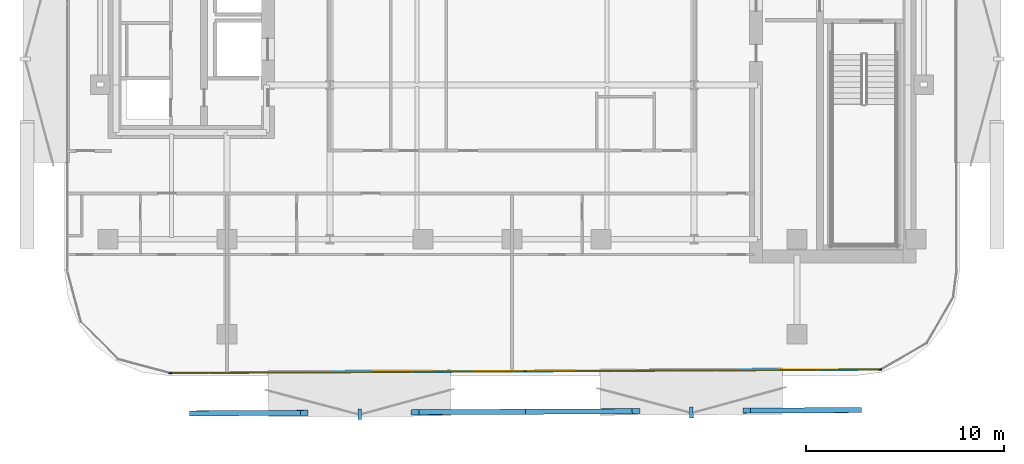
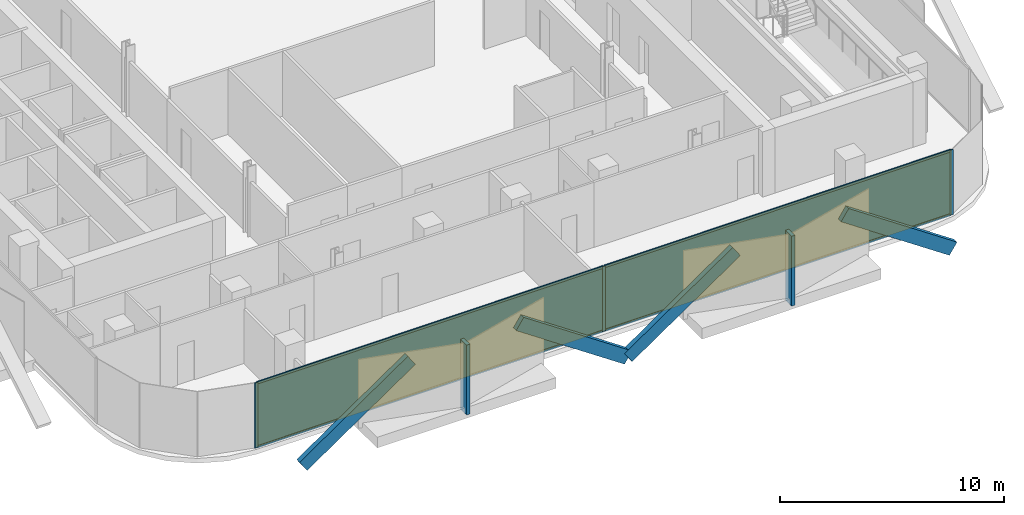
# One storey, part 9 of 17: 13 members, 2 plates, 1 curtain wall.
"""IFC4 building model written with IfcOpenShell, lengths in metres."""

from ifc_helpers import new_model, si_unit, direction, frame, frame_2d, origin, origin_2d, place, context, subcontext, project, spatial, rectangle, extrude, material, layer, layer_set, material_profile, profile_set, type_object, element, aggregate, save


model = new_model("IFC4")

# Units and contexts
model_context = context("Model", 3, precision=1e-05, world=origin(), true_north=direction((0.0, 1.0)))
body_context = subcontext(model_context, "Body", "Model", "MODEL_VIEW")
ifc_project = project(units=[si_unit("LENGTHUNIT", "METRE"), si_unit("AREAUNIT", "SQUARE_METRE"), si_unit("VOLUMEUNIT", "CUBIC_METRE"), si_unit("PLANEANGLEUNIT", "RADIAN"), si_unit("MASSUNIT", "GRAM", prefix="KILO")], contexts=[model_context])

# Member
ifc_material_1 = material(Name="Anodised Bronze Aluminium 6063-T6", Category="aluminium")
ifc_material_profile_1 = material_profile(ifc_material_1, rectangle(XDim=0.260009765625, YDim=0.699951171875, at=origin_2d()))
ifc_profile_set_1 = profile_set([ifc_material_profile_1], Name="Anodised Bronze Aluminium 6063-T6")
member_type_1 = type_object("IfcMemberType", Name="Bronze Diamond Solar-Screen Lattice Rib BDL-700", PredefinedType="MULLION", material=ifc_profile_set_1)
site_placement = place(None, origin())
building_placement = place(site_placement, origin())
storey_placement = place(building_placement, frame((0.0, 0.0, 172.60009765625)))
member_1_placement = place(storey_placement, frame((17.4453125, -27.22900390625, -0.130126953125), z_axis=(-0.826888819371, -0.004046469514, 0.562350874885), x_axis=(-0.007641611663, 0.999962637455, -0.004040973385)))
member_1 = element("IfcMember", 1, at=member_1_placement, type_object=member_type_1, Name="L39 Bronze Diamond Solar Screen Lattice Rib 249A", PredefinedType="MULLION", context=body_context, shape_type="SweptSolid", body=[
    extrude(rectangle(XDim=0.260009765625, YDim=0.699951171875, at=origin_2d()), origin(), (0.0, 0.0, 1.0), 6.75732421875),
])

member_2_placement = place(storey_placement, frame((0.682373046875, -27.3115234375, -0.130126953125), z_axis=(0.826888697943, 0.004082598107, 0.562350792305), x_axis=(0.00768530149, -0.999962302626, -0.00404097366)))
member_2 = element("IfcMember", 2, at=member_2_placement, type_object=member_type_1, Name="L39 Bronze Diamond Solar Screen Lattice Rib 249B", PredefinedType="MULLION", context=body_context, shape_type="SweptSolid", body=[
    extrude(rectangle(XDim=0.260009765625, YDim=0.699951171875, at=origin_2d()), origin(), (0.0, 0.0, 1.0), 6.75732421875),
])

member_3_placement = place(storey_placement, frame((0.682373046875, -27.3115234375, -0.130126953125), z_axis=(-0.82690012347, -0.004082476143, 0.562333992564), x_axis=(-0.00768500369, 0.999962304689, -0.004041029491)))
member_3 = element("IfcMember", 3, at=member_3_placement, type_object=member_type_1, Name="L39 Bronze Diamond Solar Screen Lattice Rib 250A", PredefinedType="MULLION", context=body_context, shape_type="SweptSolid", body=[
    extrude(rectangle(XDim=0.260009765625, YDim=0.699951171875, at=origin_2d()), origin(), (0.0, 0.0, 1.0), 6.757568359375),
])

member_4_placement = place(storey_placement, frame((-16.080810546875, -27.39404296875, -0.130126953125), z_axis=(0.826888697943, 0.004082598107, 0.562350792305), x_axis=(0.00768530149, -0.999962302626, -0.00404097366)))
member_4 = element("IfcMember", 4, at=member_4_placement, type_object=member_type_1, Name="L39 Bronze Diamond Solar Screen Lattice Rib 250B", PredefinedType="MULLION", context=body_context, shape_type="SweptSolid", body=[
    extrude(rectangle(XDim=0.260009765625, YDim=0.699951171875, at=origin_2d()), origin(), (0.0, 0.0, 1.0), 6.75732421875),
])

ifc_material_2 = material(Name="Anodised Bronze Aluminium 6063-T6", Category="aluminium")
ifc_material_profile_2 = material_profile(ifc_material_2, rectangle(XDim=0.179931640625, YDim=0.5400390625, at=origin_2d()))
ifc_profile_set_2 = profile_set([ifc_material_profile_2], Name="Anodised Bronze Aluminium 6063-T6")
member_type_2 = type_object("IfcMemberType", Name="Bronze Solar-Screen Vertical Fold Fin BSF-540", PredefinedType="MULLION", material=ifc_profile_set_2)
member_5_placement = place(storey_placement, frame((9.064208984375, -27.35009765625, -0.130126953125), z_axis=(0.0, 0.0, 1.0), x_axis=(-0.999988059021, -0.004886902454, 0.0)))
member_5 = element("IfcMember", 5, at=member_5_placement, type_object=member_type_2, Name="L39 Bronze Solar Screen Vertical Fin 249", PredefinedType="MULLION", context=body_context, shape_type="SweptSolid", body=[
    extrude(rectangle(XDim=0.179931640625, YDim=0.5400390625, at=origin_2d()), origin(), (0.0, 0.0, 1.0), 3.800048828125),
])

member_6_placement = place(storey_placement, frame((-7.698974609375, -27.432861328125, -0.130126953125), z_axis=(0.0, 0.0, 1.0), x_axis=(-0.999988059021, -0.004886902454, 0.0)))
member_6 = element("IfcMember", 6, at=member_6_placement, type_object=member_type_2, Name="L39 Bronze Solar Screen Vertical Fin 250", PredefinedType="MULLION", context=body_context, shape_type="SweptSolid", body=[
    extrude(rectangle(XDim=0.179931640625, YDim=0.5400390625, at=origin_2d()), origin(), (0.0, 0.0, 1.0), 3.800048828125),
])

ifc_material_3 = material(Name="Anodised Bronze Aluminium 6063-T6", Category="aluminium")
ifc_material_profile_3 = material_profile(ifc_material_3, rectangle(XDim=0.06005859375, YDim=0.1650390625, at=origin_2d()))
ifc_profile_set_3 = profile_set([ifc_material_profile_3], Name="Anodised Bronze Aluminium 6063-T6")
member_type_3 = type_object("IfcMemberType", Name="CW-Z3 Mullion 60x165", PredefinedType="MULLION", material=ifc_profile_set_3)
member_7_placement = place(storey_placement, frame((18.605224609375, -25.18310546875, 0.0), z_axis=(0.0, 0.0, 1.0), x_axis=(0.004926734175, -0.999987863572, 0.0)))
member_7 = element("IfcMember", 7, at=member_7_placement, type_object=member_type_3, Name="CW-Z3 mullion 1", PredefinedType="MULLION", context=body_context, shape_type="SweptSolid", body=[
    extrude(rectangle(XDim=0.06005859375, YDim=0.1650390625, at=origin_2d()), origin(), (0.0, 0.0, 1.0), 3.539794921875),
])

member_8_placement = place(storey_placement, frame((0.672119140625, -25.271484375, 0.0), z_axis=(0.0, 0.0, 1.0), x_axis=(0.004926734175, -0.999987863572, 0.0)))
member_8 = element("IfcMember", 8, at=member_8_placement, type_object=member_type_3, Name="CW-Z3 mullion 2", PredefinedType="MULLION", context=body_context, shape_type="SweptSolid", body=[
    extrude(rectangle(XDim=0.06005859375, YDim=0.1650390625, at=origin_2d()), origin(), (0.0, 0.0, 1.0), 3.539794921875),
])

member_9_placement = place(storey_placement, frame((-17.2607421875, -25.35986328125, 0.0), z_axis=(0.0, 0.0, 1.0), x_axis=(0.004926734175, -0.999987863572, 0.0)))
member_9 = element("IfcMember", 9, at=member_9_placement, type_object=member_type_3, Name="CW-Z3 mullion 3", PredefinedType="MULLION", context=body_context, shape_type="SweptSolid", body=[
    extrude(rectangle(XDim=0.06005859375, YDim=0.1650390625, at=origin_2d()), origin(), (0.0, 0.0, 1.0), 3.539794921875),
])

ifc_material_4 = material(Name="Anodised Bronze Aluminium 6063-T6", Category="aluminium")
ifc_material_profile_4 = material_profile(ifc_material_4, rectangle(XDim=0.06005859375, YDim=0.1298828125, at=origin_2d()))
ifc_profile_set_4 = profile_set([ifc_material_profile_4], Name="Anodised Bronze Aluminium 6063-T6")
member_type_4 = type_object("IfcMemberType", Name="CW-Z3 Transom 60x130", PredefinedType="USERDEFINED", material=ifc_profile_set_4)
member_10_placement = place(storey_placement, frame((18.5751953125, -25.183349609375, 0.02978515625), z_axis=(-0.999987909339, -0.0049174359, 0.0), x_axis=(0.0049174359, -0.999987909339, 0.0)))
member_10 = element("IfcMember", 10, at=member_10_placement, type_object=member_type_4, Name="CW-Z3 transom 1.1", ObjectType="TRANSOM", PredefinedType="USERDEFINED", context=body_context, shape_type="SweptSolid", body=[
    extrude(rectangle(XDim=0.06005859375, YDim=0.1298828125, at=origin_2d()), origin(), (0.0, 0.0, 1.0), 17.873291015625),
])

member_11_placement = place(storey_placement, frame((18.5751953125, -25.183349609375, 3.510009765625), z_axis=(-0.999987909339, -0.0049174359, 0.0), x_axis=(0.0049174359, -0.999987909339, 0.0)))
member_11 = element("IfcMember", 11, at=member_11_placement, type_object=member_type_4, Name="CW-Z3 transom 1.2", ObjectType="TRANSOM", PredefinedType="USERDEFINED", context=body_context, shape_type="SweptSolid", body=[
    extrude(rectangle(XDim=0.06005859375, YDim=0.1298828125, at=origin_2d()), origin(), (0.0, 0.0, 1.0), 17.873291015625),
])

member_12_placement = place(storey_placement, frame((0.64208984375, -25.271728515625, 0.02978515625), z_axis=(-0.999987909009, -0.00491750307, 0.0), x_axis=(0.00491750307, -0.999987909009, 0.0)))
member_12 = element("IfcMember", 12, at=member_12_placement, type_object=member_type_4, Name="CW-Z3 transom 2.1", ObjectType="TRANSOM", PredefinedType="USERDEFINED", context=body_context, shape_type="SweptSolid", body=[
    extrude(rectangle(XDim=0.06005859375, YDim=0.1298828125, at=origin_2d()), origin(), (0.0, 0.0, 1.0), 17.873046875),
])

member_13_placement = place(storey_placement, frame((0.64208984375, -25.271728515625, 3.510009765625), z_axis=(-0.999987909009, -0.00491750307, 0.0), x_axis=(0.00491750307, -0.999987909009, 0.0)))
member_13 = element("IfcMember", 13, at=member_13_placement, type_object=member_type_4, Name="CW-Z3 transom 2.2", ObjectType="TRANSOM", PredefinedType="USERDEFINED", context=body_context, shape_type="SweptSolid", body=[
    extrude(rectangle(XDim=0.06005859375, YDim=0.1298828125, at=origin_2d()), origin(), (0.0, 0.0, 1.0), 17.873046875),
])

# Plate
ifc_material_5 = material(Name="Low-E Solar Control Laminated Glass", Category="glass")
ifc_layer_1 = layer(ifc_material_5, 0.030029296875, Name="Low-E Solar Control Laminated Glass")
ifc_layer_set_1 = layer_set([ifc_layer_1], Name="Low-E Solar Control Laminated Glass")
plate_type = type_object("IfcPlateType", Name="CW-Z3 Low-E Double Glazed Panel 30mm", PredefinedType="CURTAIN_PANEL", material=ifc_layer_set_1)
plate_1_placement = place(storey_placement, frame((9.638671875, -25.227294921875, 0.06005859375), z_axis=(0.0, 0.0, 1.0), x_axis=(-0.999987863572, -0.004926734175, 0.0)))
plate_1 = element("IfcPlate", 14, at=plate_1_placement, type_object=plate_type, Name="CW-Z3 panel 1.1", PredefinedType="CURTAIN_PANEL", context=body_context, shape_type="SweptSolid", body=[
    extrude(rectangle(XDim=17.873291015625, YDim=0.030029296875, at=origin_2d()), origin(), (0.0, 0.0, 1.0), 3.419921875),
])

plate_2_placement = place(storey_placement, frame((-8.294189453125, -25.315673828125, 0.06005859375), z_axis=(0.0, 0.0, 1.0), x_axis=(-0.999987863572, -0.004926734175, 0.0)))
plate_2 = element("IfcPlate", 15, at=plate_2_placement, type_object=plate_type, Name="CW-Z3 panel 2.1", PredefinedType="CURTAIN_PANEL", context=body_context, shape_type="SweptSolid", body=[
    extrude(rectangle(XDim=17.873291015625, YDim=0.030029296875, at=origin_2d()), origin(), (0.0, 0.0, 1.0), 3.419921875),
])

# Site, building, storey
site = spatial("IfcSite", under=ifc_project, at=site_placement, CompositionType="ELEMENT")
building = spatial("IfcBuilding", under=site, at=building_placement, Name="Khairoan Windgate Tower", CompositionType="ELEMENT")
storey = spatial("IfcBuildingStorey", under=building, at=storey_placement, Name="L39", CompositionType="ELEMENT", Elevation=172.60009765625)

# Curtain wall
ifc_material_6 = material(Name="Anodised Bronze Aluminium 6063-T6", Category="aluminium")
ifc_layer_2 = layer(ifc_material_6, 0.1650390625, Name="Anodised Bronze Aluminium 6063-T6")
ifc_layer_set_2 = layer_set([ifc_layer_2], Name="Anodised Bronze Aluminium 6063-T6")
curtain_wall_type = type_object("IfcCurtainWallType", Name="Luxury Hotel Acoustic Curtain Wall CW-Z3", PredefinedType="NOTDEFINED", material=ifc_layer_set_2)
curtain_wall_placement = place(storey_placement, frame((18.63525390625, -25.18310546875, 0.0), z_axis=(0.0, 0.0, 1.0), x_axis=(-0.999987863321, -0.004926785053, 0.0)))
curtain_wall = element("IfcCurtainWall", 16, at=curtain_wall_placement, inside=storey, type_object=curtain_wall_type, Name="L39 Unitised Curtain Wall 1", PredefinedType="NOTDEFINED", context=body_context, shape_type="SweptSolid", body=[
    extrude(rectangle(XDim=35.926513671875, YDim=0.010009765625, at=frame_2d((17.96337890625, 0.0))), origin(), (0.0, 0.0, 1.0), 3.539794921875),
])

aggregate(curtain_wall, [member_7, member_8, member_9, member_10, member_11, plate_1, member_12, member_13, plate_2, member_1, member_2, member_5, member_3, member_4, member_6])

save(model, "model.ifc")
